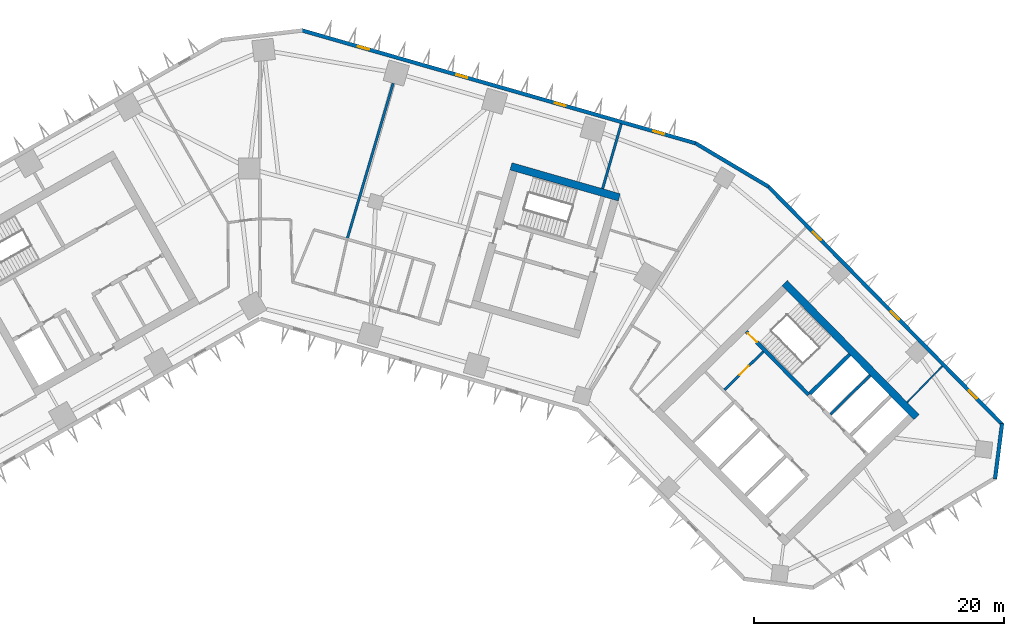
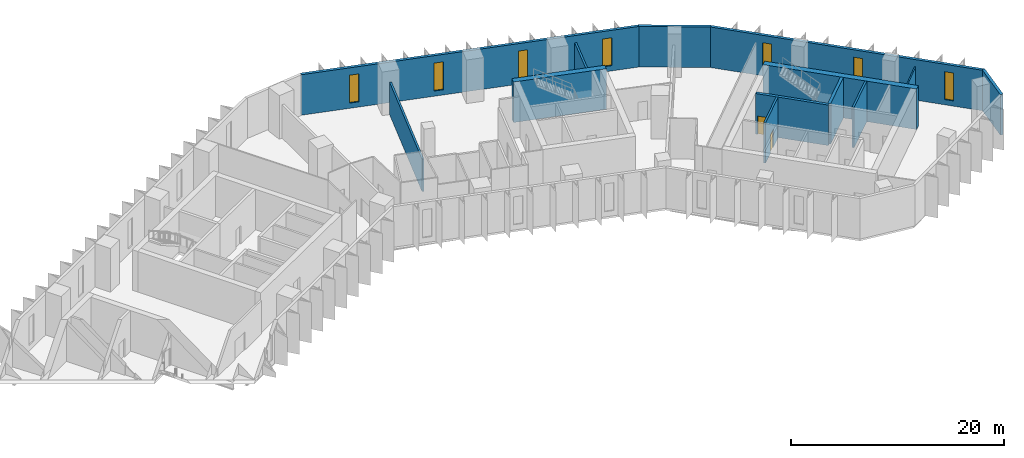
# One storey, part 7 of 11: 13 walls, 7 windows, 2 doors, 9 openings.
"""IFC4 building model written with IfcOpenShell, lengths in metres."""

from ifc_helpers import new_model, si_unit, direction, frame, frame_2d, origin, place, context, subcontext, project, spatial, rectangle, extrude, material, layer, layer_set, type_object, element, fill, save


model = new_model("IFC4")

# Units and contexts
model_context = context("Model", 3, precision=1e-05, world=origin(), true_north=direction((0.0, 1.0)))
body_context = subcontext(model_context, "Body", "Model", "MODEL_VIEW")
ifc_project = project(units=[si_unit("LENGTHUNIT", "METRE"), si_unit("AREAUNIT", "SQUARE_METRE"), si_unit("VOLUMEUNIT", "CUBIC_METRE"), si_unit("PLANEANGLEUNIT", "RADIAN"), si_unit("MASSUNIT", "GRAM", prefix="KILO")], contexts=[model_context])

# Site, building, storey
site_placement = place(None, origin())
site = spatial("IfcSite", under=ifc_project, at=site_placement, CompositionType="ELEMENT")
building_placement = place(site_placement, origin())
building = spatial("IfcBuilding", under=site, at=building_placement, Name="Binnacle Exchange Tower", CompositionType="ELEMENT")
storey_placement = place(building_placement, frame((0.0, 0.0, 86.5)))
storey = spatial("IfcBuildingStorey", under=building, at=storey_placement, Name="L17", CompositionType="ELEMENT", Elevation=86.5)

# Walls
ifc_material_1 = material(Name="Concrete C70/85", Category="concrete")
ifc_layer_1 = layer(ifc_material_1, 0.60009765625)
ifc_layer_set_1 = layer_set([ifc_layer_1], Name="Core wall - outer 600")
wall_type_1 = type_object("IfcWallType", Name="Core wall - outer 600", PredefinedType="SOLIDWALL", material=ifc_layer_set_1)
wall_1_placement = place(storey_placement, frame((41.91650390625, 50.855712890625, 0.0), z_axis=(0.0, 0.0, 1.0), x_axis=(0.700911255944, -0.713248491965, 0.0)))
element("IfcWall", 1, at=wall_1_placement, inside=storey, type_object=wall_type_1, Name="Core wall CRWB6", PredefinedType="SOLIDWALL", context=body_context, shape_type="SweptSolid", body=[
    extrude(rectangle(XDim=15.0, YDim=0.60009765625, at=frame_2d((7.5, 0.0))), origin(), (0.0, 0.0, 1.0), 4.64990234375),
])
wall_2_placement = place(storey_placement, frame((20.052734375, 60.1796875, 0.0), z_axis=(0.0, 0.0, 1.0), x_axis=(0.96126248289, -0.275634611374, 0.0)))
element("IfcWall", 2, at=wall_2_placement, inside=storey, type_object=wall_type_1, Name="Core wall CRWD6", PredefinedType="SOLIDWALL", context=body_context, shape_type="SweptSolid", body=[
    extrude(rectangle(XDim=9.0, YDim=0.60009765625, at=frame_2d((4.5, 0.0))), origin(), (0.0, 0.0, 1.0), 4.64990234375),
])

# Wall, opening, door
ifc_layer_2 = layer(ifc_material_1, 0.300048828125)
ifc_layer_set_2 = layer_set([ifc_layer_2], Name="Core wall - stair 300")
wall_type_2 = type_object("IfcWallType", Name="Core wall - stair 300", PredefinedType="SOLIDWALL", material=ifc_layer_set_2)
wall_3_placement = place(storey_placement, frame((38.842041015625, 46.993408203125, 0.0), z_axis=(0.0, 0.0, 1.0), x_axis=(0.700907701701, -0.713251984713, 0.0)))
wall_3 = element("IfcWall", 3, at=wall_3_placement, inside=storey, type_object=wall_type_2, Name="Core wall CRWB4", PredefinedType="SOLIDWALL", context=body_context, shape_type="SweptSolid", body=[
    extrude(rectangle(XDim=7.10009765625, YDim=0.300048828125, at=frame_2d((3.550048828125, 0.0))), origin(), (0.0, 0.0, 1.0), 4.64990234375),
])
opening_1_placement = place(wall_3_placement, frame((0.199951171875, 0.0, 0.0)))
opening_1 = element("IfcOpeningElement", 4, at=opening_1_placement, cuts=wall_3, Name="Opening DB1", PredefinedType="OPENING", context=body_context, shape_type="SweptSolid", body=[
    extrude(rectangle(XDim=1.0, YDim=2.10009765625, at=frame_2d((0.5, 1.050048828125))), frame((0.0, 0.159912109375, 0.0), z_axis=(0.0, -1.0, 0.0), x_axis=(1.0, 0.0, 0.0)), (0.0, 0.0, 1.0), 0.320068359375),
])
ifc_material_2 = material(Name="Steel door leaf", Category="steel")
door_type = type_object("IfcDoorType", Name="Fire door 1000", OperationType="NOTDEFINED", PredefinedType="DOOR", material=ifc_material_2)
door_1_placement = place(opening_1_placement, origin())
door_1 = element("IfcDoor", 5, at=door_1_placement, inside=storey, type_object=door_type, Name="Stair door ST-B1", OperationType="SINGLE_SWING_LEFT", OverallHeight=2.10009765625, OverallWidth=1.0, PredefinedType="DOOR", context=body_context, shape_type="SweptSolid", body=[
    extrude(rectangle(XDim=1.0, YDim=2.10009765625, at=frame_2d((0.5, 1.050048828125))), frame((0.0, 0.02490234375, 0.0), z_axis=(0.0, -1.0, 0.0), x_axis=(1.0, 0.0, 0.0)), (0.0, 0.0, 1.0), 0.050048828125),
])
fill(opening_1, door_1)

# Walls
wall_4_placement = place(storey_placement, frame((43.925537109375, 42.034423828125, 0.0), z_axis=(0.0, 0.0, 1.0), x_axis=(0.713251741427, 0.700907949271, 0.0)))
element("IfcWall", 6, at=wall_4_placement, inside=storey, type_object=wall_type_2, Name="Core wall CRWB11", PredefinedType="SOLIDWALL", context=body_context, shape_type="SweptSolid", body=[
    extrude(rectangle(XDim=4.4501953125, YDim=0.300048828125, at=frame_2d((2.22509765625, 0.0))), origin(), (0.0, 0.0, 1.0), 4.64990234375),
])
ifc_material_3 = material(Name="Bronze aluminium cladding", Category="aluminium")
ifc_layer_3 = layer(ifc_material_3, 0.300048828125)
ifc_layer_set_3 = layer_set([ifc_layer_3], Name="External wall - spandrel 300")
wall_type_3 = type_object("IfcWallType", Name="External wall - spandrel 300", PredefinedType="STANDARD", material=ifc_layer_set_3)
wall_5_placement = place(storey_placement, frame((34.773193359375, 62.0341796875, 0.0), z_axis=(0.0, 0.0, 1.0), x_axis=(0.859401317772, -0.511301647769, 0.0)))
element("IfcWall", 7, at=wall_5_placement, inside=storey, type_object=wall_type_3, Name="External wall EW-F00 L17", PredefinedType="STANDARD", context=body_context, shape_type="SweptSolid", body=[
    extrude(rectangle(XDim=6.80810546875, YDim=0.300048828125, at=frame_2d((3.404052734375, 0.0))), origin(), (0.0, 0.0, 1.0), 4.64990234375),
])

# Wall, openings, windows
wall_6_placement = place(storey_placement, frame((3.33544921875, 71.043701171875, 0.0), z_axis=(0.0, 0.0, 1.0), x_axis=(0.961260130989, -0.275642813387, 0.0)))
wall_6 = element("IfcWall", 8, at=wall_6_placement, inside=storey, type_object=wall_type_3, Name="External wall EW-F01 L17", PredefinedType="STANDARD", context=body_context, shape_type="SweptSolid", body=[
    extrude(rectangle(XDim=32.7412109375, YDim=0.300048828125, at=frame_2d((16.37060546875, 0.0))), origin(), (0.0, 0.0, 1.0), 4.64990234375),
])
opening_2_placement = place(wall_6_placement, frame((29.20703125, 0.0, 0.60009765625)))
opening_2 = element("IfcOpeningElement", 9, at=opening_2_placement, cuts=wall_6, Name="Opening WS1", PredefinedType="OPENING", context=body_context, shape_type="SweptSolid", body=[
    extrude(rectangle(XDim=0.89990234375, YDim=3.199951171875, at=frame_2d((0.449951171875, 1.60009765625))), frame((0.0, 0.159912109375, 0.0), z_axis=(0.0, -1.0, 0.0), x_axis=(1.0, 0.0, 0.0)), (0.0, 0.0, 1.0), 0.320068359375),
])
opening_3_placement = place(wall_6_placement, frame((21.0341796875, 0.0, 0.60009765625)))
opening_3 = element("IfcOpeningElement", 10, at=opening_3_placement, cuts=wall_6, Name="Opening WS1", PredefinedType="OPENING", context=body_context, shape_type="SweptSolid", body=[
    extrude(rectangle(XDim=0.89990234375, YDim=3.199951171875, at=frame_2d((0.449951171875, 1.60009765625))), frame((0.0, 0.159912109375, 0.0), z_axis=(0.0, -1.0, 0.0), x_axis=(1.0, 0.0, 0.0)), (0.0, 0.0, 1.0), 0.320068359375),
])
opening_4_placement = place(wall_6_placement, frame((12.861083984375, 0.0, 0.60009765625)))
opening_4 = element("IfcOpeningElement", 11, at=opening_4_placement, cuts=wall_6, Name="Opening WS1", PredefinedType="OPENING", context=body_context, shape_type="SweptSolid", body=[
    extrude(rectangle(XDim=0.89990234375, YDim=3.199951171875, at=frame_2d((0.449951171875, 1.60009765625))), frame((0.0, 0.159912109375, 0.0), z_axis=(0.0, -1.0, 0.0), x_axis=(1.0, 0.0, 0.0)), (0.0, 0.0, 1.0), 0.320068359375),
])
opening_5_placement = place(wall_6_placement, frame((4.688232421875, 0.0, 0.60009765625)))
opening_5 = element("IfcOpeningElement", 12, at=opening_5_placement, cuts=wall_6, Name="Opening WS1", PredefinedType="OPENING", context=body_context, shape_type="SweptSolid", body=[
    extrude(rectangle(XDim=0.89990234375, YDim=3.199951171875, at=frame_2d((0.449951171875, 1.60009765625))), frame((0.0, 0.159912109375, 0.0), z_axis=(0.0, -1.0, 0.0), x_axis=(1.0, 0.0, 0.0)), (0.0, 0.0, 1.0), 0.320068359375),
])
ifc_material_4 = material(Name="Bronze anodised aluminium frame", Category="aluminium")
window_type = type_object("IfcWindowType", Name="WS1 WINDOW 900x3200", PartitioningType="SINGLE_PANEL", PredefinedType="WINDOW", material=ifc_material_4)
window_1_placement = place(opening_2_placement, origin())
window_1 = element("IfcWindow", 13, at=window_1_placement, inside=storey, type_object=window_type, Name="Window WS1 L17", OverallHeight=3.199951171875, OverallWidth=0.89990234375, PartitioningType="SINGLE_PANEL", PredefinedType="WINDOW", context=body_context, shape_type="SweptSolid", body=[
    extrude(rectangle(XDim=0.89990234375, YDim=3.199951171875, at=frame_2d((0.449951171875, 1.60009765625))), frame((0.0, 0.030029296875, 0.0), z_axis=(0.0, -1.0, 0.0), x_axis=(1.0, 0.0, 0.0)), (0.0, 0.0, 1.0), 0.06005859375),
])
fill(opening_2, window_1)
window_2_placement = place(opening_3_placement, origin())
window_2 = element("IfcWindow", 14, at=window_2_placement, inside=storey, type_object=window_type, Name="Window WS1 L17", OverallHeight=3.199951171875, OverallWidth=0.89990234375, PartitioningType="SINGLE_PANEL", PredefinedType="WINDOW", context=body_context, shape_type="SweptSolid", body=[
    extrude(rectangle(XDim=0.89990234375, YDim=3.199951171875, at=frame_2d((0.449951171875, 1.60009765625))), frame((0.0, 0.030029296875, 0.0), z_axis=(0.0, -1.0, 0.0), x_axis=(1.0, 0.0, 0.0)), (0.0, 0.0, 1.0), 0.06005859375),
])
fill(opening_3, window_2)
window_3_placement = place(opening_4_placement, origin())
window_3 = element("IfcWindow", 15, at=window_3_placement, inside=storey, type_object=window_type, Name="Window WS1 L17", OverallHeight=3.199951171875, OverallWidth=0.89990234375, PartitioningType="SINGLE_PANEL", PredefinedType="WINDOW", context=body_context, shape_type="SweptSolid", body=[
    extrude(rectangle(XDim=0.89990234375, YDim=3.199951171875, at=frame_2d((0.449951171875, 1.60009765625))), frame((0.0, 0.030029296875, 0.0), z_axis=(0.0, -1.0, 0.0), x_axis=(1.0, 0.0, 0.0)), (0.0, 0.0, 1.0), 0.06005859375),
])
fill(opening_4, window_3)
window_4_placement = place(opening_5_placement, origin())
window_4 = element("IfcWindow", 16, at=window_4_placement, inside=storey, type_object=window_type, Name="Window WS1 L17", OverallHeight=3.199951171875, OverallWidth=0.89990234375, PartitioningType="SINGLE_PANEL", PredefinedType="WINDOW", context=body_context, shape_type="SweptSolid", body=[
    extrude(rectangle(XDim=0.89990234375, YDim=3.199951171875, at=frame_2d((0.449951171875, 1.60009765625))), frame((0.0, 0.030029296875, 0.0), z_axis=(0.0, -1.0, 0.0), x_axis=(1.0, 0.0, 0.0)), (0.0, 0.0, 1.0), 0.06005859375),
])
fill(opening_5, window_4)

# Wall
wall_7_placement = place(storey_placement, frame((59.27197265625, 39.6513671875, 0.0), z_axis=(0.0, 0.0, 1.0), x_axis=(-0.126181137886, -0.992007217938, 0.0)))
element("IfcWall", 17, at=wall_7_placement, inside=storey, type_object=wall_type_3, Name="External wall EW-F12 L17", PredefinedType="STANDARD", context=body_context, shape_type="SweptSolid", body=[
    extrude(rectangle(XDim=4.479248046875, YDim=0.300048828125, at=frame_2d((2.23974609375, 0.0))), origin(), (0.0, 0.0, 1.0), 4.64990234375),
])

# Wall, openings, windows
wall_8_placement = place(storey_placement, frame((40.59375, 58.576904296875, 0.0), z_axis=(0.0, 0.0, 1.0), x_axis=(0.700909719808, -0.713250001528, 0.0)))
wall_8 = element("IfcWall", 18, at=wall_8_placement, inside=storey, type_object=wall_type_3, Name="External wall EW-F13 L17", PredefinedType="STANDARD", context=body_context, shape_type="SweptSolid", body=[
    extrude(rectangle(XDim=26.70849609375, YDim=0.300048828125, at=frame_2d((13.354248046875, 0.0))), origin(), (0.0, 0.0, 1.0), 4.64990234375),
])
opening_6_placement = place(wall_8_placement, frame((22.8583984375, 0.0, 0.60009765625)))
opening_6 = element("IfcOpeningElement", 19, at=opening_6_placement, cuts=wall_8, Name="Opening WS1", PredefinedType="OPENING", context=body_context, shape_type="SweptSolid", body=[
    extrude(rectangle(XDim=0.89990234375, YDim=3.199951171875, at=frame_2d((0.449951171875, 1.60009765625))), frame((0.0, 0.159912109375, 0.0), z_axis=(0.0, -1.0, 0.0), x_axis=(1.0, 0.0, 0.0)), (0.0, 0.0, 1.0), 0.320068359375),
])
opening_7_placement = place(wall_8_placement, frame((13.986572265625, 0.0, 0.60009765625)))
opening_7 = element("IfcOpeningElement", 20, at=opening_7_placement, cuts=wall_8, Name="Opening WS1", PredefinedType="OPENING", context=body_context, shape_type="SweptSolid", body=[
    extrude(rectangle(XDim=0.89990234375, YDim=3.199951171875, at=frame_2d((0.449951171875, 1.60009765625))), frame((0.0, 0.159912109375, 0.0), z_axis=(0.0, -1.0, 0.0), x_axis=(1.0, 0.0, 0.0)), (0.0, 0.0, 1.0), 0.320068359375),
])
opening_8_placement = place(wall_8_placement, frame((5.114501953125, 0.0, 0.60009765625)))
opening_8 = element("IfcOpeningElement", 21, at=opening_8_placement, cuts=wall_8, Name="Opening WS1", PredefinedType="OPENING", context=body_context, shape_type="SweptSolid", body=[
    extrude(rectangle(XDim=0.89990234375, YDim=3.199951171875, at=frame_2d((0.449951171875, 1.60009765625))), frame((0.0, 0.159912109375, 0.0), z_axis=(0.0, -1.0, 0.0), x_axis=(1.0, 0.0, 0.0)), (0.0, 0.0, 1.0), 0.320068359375),
])
window_5_placement = place(opening_6_placement, origin())
window_5 = element("IfcWindow", 22, at=window_5_placement, inside=storey, type_object=window_type, Name="Window WS1 L17", OverallHeight=3.199951171875, OverallWidth=0.89990234375, PartitioningType="SINGLE_PANEL", PredefinedType="WINDOW", context=body_context, shape_type="SweptSolid", body=[
    extrude(rectangle(XDim=0.89990234375, YDim=3.199951171875, at=frame_2d((0.449951171875, 1.60009765625))), frame((0.0, 0.030029296875, 0.0), z_axis=(0.0, -1.0, 0.0), x_axis=(1.0, 0.0, 0.0)), (0.0, 0.0, 1.0), 0.06005859375),
])
fill(opening_6, window_5)
window_6_placement = place(opening_7_placement, origin())
window_6 = element("IfcWindow", 23, at=window_6_placement, inside=storey, type_object=window_type, Name="Window WS1 L17", OverallHeight=3.199951171875, OverallWidth=0.89990234375, PartitioningType="SINGLE_PANEL", PredefinedType="WINDOW", context=body_context, shape_type="SweptSolid", body=[
    extrude(rectangle(XDim=0.89990234375, YDim=3.199951171875, at=frame_2d((0.449951171875, 1.60009765625))), frame((0.0, 0.030029296875, 0.0), z_axis=(0.0, -1.0, 0.0), x_axis=(1.0, 0.0, 0.0)), (0.0, 0.0, 1.0), 0.06005859375),
])
fill(opening_7, window_6)
window_7_placement = place(opening_8_placement, origin())
window_7 = element("IfcWindow", 24, at=window_7_placement, inside=storey, type_object=window_type, Name="Window WS1 L17", OverallHeight=3.199951171875, OverallWidth=0.89990234375, PartitioningType="SINGLE_PANEL", PredefinedType="WINDOW", context=body_context, shape_type="SweptSolid", body=[
    extrude(rectangle(XDim=0.89990234375, YDim=3.199951171875, at=frame_2d((0.449951171875, 1.60009765625))), frame((0.0, 0.030029296875, 0.0), z_axis=(0.0, -1.0, 0.0), x_axis=(1.0, 0.0, 0.0)), (0.0, 0.0, 1.0), 0.06005859375),
])
fill(opening_8, window_7)

# Walls
ifc_material_5 = material(Name="Masonry block wall", Category="masonry")
ifc_layer_4 = layer(ifc_material_5, 0.199951171875)
ifc_layer_set_4 = layer_set([ifc_layer_4], Name="Fire wall - block 200")
wall_type_4 = type_object("IfcWallType", Name="Fire wall - block 200", PredefinedType="PARTITIONING", material=ifc_layer_set_4)
wall_9_placement = place(storey_placement, frame((6.966064453125, 54.362060546875, 0.0), z_axis=(0.0, 0.0, 1.0), x_axis=(0.283027392509, 0.959111826165, 0.0)))
element("IfcWall", 25, at=wall_9_placement, inside=storey, type_object=wall_type_4, Name="Partition W21", PredefinedType="PARTITIONING", context=body_context, shape_type="SweptSolid", body=[
    extrude(rectangle(XDim=12.98486328125, YDim=0.199951171875, at=frame_2d((6.492431640625, 0.0))), origin(), (0.0, 0.0, 1.0), 3.718017578125),
])
wall_10_placement = place(storey_placement, frame((27.367919921875, 58.39404296875, 0.0), z_axis=(0.0, 0.0, 1.0), x_axis=(0.276295387056, 0.961072764722, 0.0)))
element("IfcWall", 26, at=wall_10_placement, inside=storey, type_object=wall_type_4, Name="Partition W35", PredefinedType="PARTITIONING", context=body_context, shape_type="SweptSolid", body=[
    extrude(rectangle(XDim=5.3857421875, YDim=0.199951171875, at=frame_2d((2.69287109375, 0.0))), origin(), (0.0, 0.0, 1.0), 3.822021484375),
])

# Wall, opening, door
ifc_layer_5 = layer(ifc_material_5, 0.199951171875)
ifc_layer_set_5 = layer_set([ifc_layer_5], Name="Fire wall - vestibule 200")
wall_type_5 = type_object("IfcWallType", Name="Fire wall - vestibule 200", PredefinedType="PARTITIONING", material=ifc_layer_set_5)
wall_11_placement = place(storey_placement, frame((37.104248046875, 42.341552734375, 0.0), z_axis=(0.0, 0.0, 1.0), x_axis=(0.713281298468, 0.700877870428, 0.0)))
wall_11 = element("IfcWall", 27, at=wall_11_placement, inside=storey, type_object=wall_type_5, Name="Core wall CRWB8", PredefinedType="PARTITIONING", context=body_context, shape_type="SweptSolid", body=[
    extrude(rectangle(XDim=4.35009765625, YDim=0.199951171875, at=frame_2d((2.175048828125, 0.0))), origin(), (0.0, 0.0, 1.0), 4.64990234375),
])
opening_9_placement = place(wall_11_placement, frame((1.699951171875, 0.0, 0.0)))
opening_9 = element("IfcOpeningElement", 28, at=opening_9_placement, cuts=wall_11, Name="Opening DB3", PredefinedType="OPENING", context=body_context, shape_type="SweptSolid", body=[
    extrude(rectangle(XDim=1.0, YDim=2.10009765625, at=frame_2d((0.5, 1.050048828125))), frame((0.0, 0.10986328125, 0.0), z_axis=(0.0, -1.0, 0.0), x_axis=(1.0, 0.0, 0.0)), (0.0, 0.0, 1.0), 0.219970703125),
])
door_2_placement = place(opening_9_placement, origin())
door_2 = element("IfcDoor", 29, at=door_2_placement, inside=storey, type_object=door_type, Name="Vestibule door VEST-W", OperationType="SINGLE_SWING_RIGHT", OverallHeight=2.10009765625, OverallWidth=1.0, PredefinedType="DOOR", context=body_context, shape_type="SweptSolid", body=[
    extrude(rectangle(XDim=1.0, YDim=2.10009765625, at=frame_2d((0.5, 1.050048828125))), frame((0.0, 0.02490234375, 0.0), z_axis=(0.0, -1.0, 0.0), x_axis=(1.0, 0.0, 0.0)), (0.0, 0.0, 1.0), 0.050048828125),
])
fill(opening_9, door_2)

# Walls
ifc_material_6 = material(Name="Gypsum partition")
ifc_layer_6 = layer(ifc_material_6, 0.125)
ifc_layer_set_6 = layer_set([ifc_layer_6], Name="Partition 125")
wall_type_6 = type_object("IfcWallType", Name="Partition 125", PredefinedType="PARTITIONING", material=ifc_layer_set_6)
wall_12_placement = place(storey_placement, frame((51.68798828125, 41.340087890625, 0.0), z_axis=(0.0, 0.0, 1.0), x_axis=(0.698090794369, 0.716009247718, 0.0)))
element("IfcWall", 30, at=wall_12_placement, inside=storey, type_object=wall_type_6, Name="Partition W45", PredefinedType="PARTITIONING", context=body_context, shape_type="SweptSolid", body=[
    extrude(rectangle(XDim=4.019287109375, YDim=0.125, at=frame_2d((2.009765625, 0.0))), origin(), (0.0, 0.0, 1.0), 3.830078125),
])
ifc_layer_7 = layer(ifc_material_5, 0.199951171875)
ifc_layer_set_7 = layer_set([ifc_layer_7], Name="Shaft wall 200")
wall_type_7 = type_object("IfcWallType", Name="Shaft wall 200", PredefinedType="SOLIDWALL", material=ifc_layer_set_7)
wall_13_placement = place(storey_placement, frame((45.55859375, 40.37255859375, 0.0), z_axis=(0.0, 0.0, 1.0), x_axis=(0.713251741427, 0.700907949271, 0.0)))
element("IfcWall", 31, at=wall_13_placement, inside=storey, type_object=wall_type_7, Name="Core wall CRWB13", PredefinedType="SOLIDWALL", context=body_context, shape_type="SweptSolid", body=[
    extrude(rectangle(XDim=4.4501953125, YDim=0.199951171875, at=frame_2d((2.22509765625, 0.0))), origin(), (0.0, 0.0, 1.0), 4.64990234375),
])

save(model, "model.ifc")
